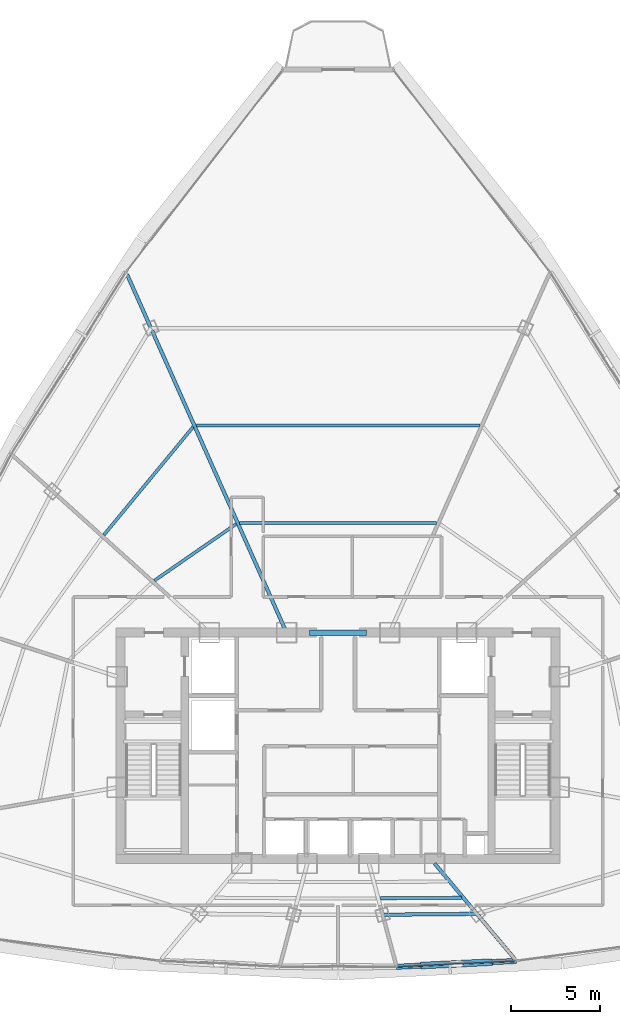
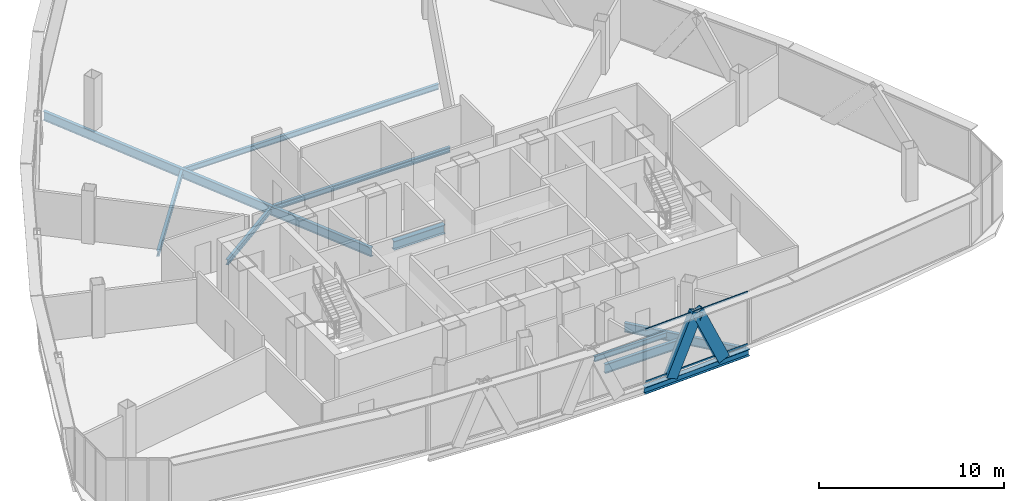
# One storey, part 10 of 26: 10 beams, 4 members, 1 element without a shape of its own.
"""IFC4 building model written with IfcOpenShell, lengths in metres."""

from ifc_helpers import new_model, si_unit, direction, frame, origin, origin_2d, place, context, subcontext, project, spatial, hollow_rectangle, i_section, extrude, source, transform, mapped, material, layer, layer_set, material_profile, profile_set, type_object, element, aggregate, save


model = new_model("IFC4")

# Units and contexts
model_context = context("Model", 3, precision=1e-05, world=origin(), true_north=direction((0.0, 1.0)))
body_context = subcontext(model_context, "Body", "Model", "MODEL_VIEW")
ifc_project = project(units=[si_unit("LENGTHUNIT", "METRE"), si_unit("AREAUNIT", "SQUARE_METRE"), si_unit("VOLUMEUNIT", "CUBIC_METRE"), si_unit("PLANEANGLEUNIT", "RADIAN"), si_unit("MASSUNIT", "GRAM", prefix="KILO"), si_unit("THERMODYNAMICTEMPERATUREUNIT", "KELVIN"), si_unit("POWERUNIT", "WATT")], contexts=[model_context])

# Site, building, storey
site_placement = place(None, origin())
site = spatial("IfcSite", under=ifc_project, at=site_placement, CompositionType="ELEMENT")
building_placement = place(site_placement, origin())
building = spatial("IfcBuilding", under=site, at=building_placement, Name="Yunzhuo Pagoda Commons", CompositionType="ELEMENT")
storey_placement = place(building_placement, frame((0.0, 0.0, 340.510009765625)))
storey = spatial("IfcBuildingStorey", under=building, at=storey_placement, Name="L85", CompositionType="ELEMENT", Elevation=340.510009765625)

# Beams
ifc_material_1 = material(Name="Structural steel Q420B", Category="steel")
ifc_material_profile_1 = material_profile(ifc_material_1, i_section(OverallWidth=0.300048828125, OverallDepth=0.587890625, WebThickness=0.011962890625, FlangeThickness=0.02001953125, at=origin_2d()), Name="Structural steel Q420B")
ifc_profile_set_1 = profile_set([ifc_material_profile_1], Name="Structural steel Q420B")
beam_type_1 = type_object("IfcBeamType", Name="B-CPL Beam HM 588x300x12x20", PredefinedType="BEAM", material=ifc_profile_set_1)
shared_shape_1 = source(origin(), body_context, "Body", "SweptSolid", [
    extrude(i_section(OverallWidth=0.300048828125, OverallDepth=0.587890625, WebThickness=0.011962890625, FlangeThickness=0.02001953125, at=origin_2d()), origin(), (0.0, 0.0, 1.0), 3.2001953125),
])
beam_1_placement = place(storey_placement, frame((46.39990234375, 40.199951171875, -0.553955078125), z_axis=(1.0, 0.0, 0.0), x_axis=(0.0, 1.0, 0.0)))
element("IfcBeam", 1, at=beam_1_placement, inside=storey, type_object=beam_type_1, Name="L85 core coupling girder", PredefinedType="BEAM", context=body_context, shape_type="MappedRepresentation", body=[
    mapped(shared_shape_1, transform((0.0, 0.0, 0.0), scale=1.0)),
])
ifc_material_2 = material(Name="Structural steel Q355B", Category="steel")
ifc_material_profile_2 = material_profile(ifc_material_2, i_section(OverallWidth=0.199951171875, OverallDepth=0.60009765625, WebThickness=0.010986328125, FlangeThickness=0.01708984375, at=origin_2d()), Name="Structural steel Q355B")
ifc_profile_set_2 = profile_set([ifc_material_profile_2], Name="Structural steel Q355B")
beam_type_2 = type_object("IfcBeamType", Name="B-RG3 Beam HN 600x200x11x17", PredefinedType="BEAM", material=ifc_profile_set_2)
shared_shape_2 = source(origin(), body_context, "Body", "SweptSolid", [
    extrude(i_section(OverallWidth=0.199951171875, OverallDepth=0.60009765625, WebThickness=0.010986328125, FlangeThickness=0.01708984375, at=origin_2d()), origin(), (0.0, 0.0, 1.0), 5.286376953125),
])
beam_2_placement = place(storey_placement, frame((50.499267578125, 24.372802734375, -0.56005859375), z_axis=(0.999957341442, 0.009236627946, 0.0), x_axis=(-0.009236627946, 0.999957341442, 0.0)))
element("IfcBeam", 2, at=beam_2_placement, inside=storey, type_object=beam_type_2, Name="L85 column-ring beam 3", PredefinedType="BEAM", context=body_context, shape_type="MappedRepresentation", body=[
    mapped(shared_shape_2, transform((0.0, 0.0, 0.0), scale=1.0)),
])
ifc_material_profile_3 = material_profile(ifc_material_2, i_section(OverallWidth=0.175048828125, OverallDepth=0.35009765625, WebThickness=0.007080078125, FlangeThickness=0.010986328125, at=origin_2d()), Name="Structural steel Q355B")
ifc_profile_set_3 = profile_set([ifc_material_profile_3], Name="Structural steel Q355B")
beam_type_3 = type_object("IfcBeamType", Name="B-JS2 Joist HN 350x175x7x11", PredefinedType="JOIST", material=ifc_profile_set_3)
shared_shape_3 = source(origin(), body_context, "Body", "SweptSolid", [
    extrude(i_section(OverallWidth=0.175048828125, OverallDepth=0.35009765625, WebThickness=0.007080078125, FlangeThickness=0.010986328125, at=origin_2d()), origin(), (0.0, 0.0, 1.0), 4.54345703125),
])
beam_3_placement = place(storey_placement, frame((50.367431640625, 25.29443359375, -0.43505859375), z_axis=(0.999975976237, 0.006931590593, 0.0), x_axis=(-0.006931590593, 0.999975976237, 0.0)))
element("IfcBeam", 3, at=beam_3_placement, inside=storey, type_object=beam_type_3, Name="L85 composite ring joist 2.3", PredefinedType="JOIST", context=body_context, shape_type="MappedRepresentation", body=[
    mapped(shared_shape_3, transform((0.0, 0.0, 0.0), scale=1.0)),
])
shared_shape_4 = source(origin(), body_context, "Body", "SweptSolid", [
    extrude(i_section(OverallWidth=0.175048828125, OverallDepth=0.35009765625, WebThickness=0.007080078125, FlangeThickness=0.010986328125, at=origin_2d()), origin(), (0.0, 0.0, 1.0), 5.556640625),
])
beam_4_placement = place(storey_placement, frame((42.273681640625, 46.28369140625, -0.43505859375), z_axis=(-0.822084621883, -0.569365326011, 0.0), x_axis=(0.569365326011, -0.822084621883, 0.0)))
element("IfcBeam", 4, at=beam_4_placement, inside=storey, type_object=beam_type_3, Name="L85 composite ring joist 1.9", PredefinedType="JOIST", context=body_context, shape_type="MappedRepresentation", body=[
    mapped(shared_shape_4, transform((0.0, 0.0, 0.0), scale=1.0)),
])
shared_shape_5 = source(origin(), body_context, "Body", "SweptSolid", [
    extrude(i_section(OverallWidth=0.175048828125, OverallDepth=0.35009765625, WebThickness=0.007080078125, FlangeThickness=0.010986328125, at=origin_2d()), origin(), (0.0, 0.0, 1.0), 7.842529296875),
])
beam_5_placement = place(storey_placement, frame((39.861328125, 51.726318359375, -0.43505859375), z_axis=(-0.636899145749, -0.770947130577, 0.0), x_axis=(0.770947130577, -0.636899145749, 0.0)))
element("IfcBeam", 5, at=beam_5_placement, inside=storey, type_object=beam_type_3, Name="L85 composite ring joist 2.9", PredefinedType="JOIST", context=body_context, shape_type="MappedRepresentation", body=[
    mapped(shared_shape_5, transform((0.0, 0.0, 0.0), scale=1.0)),
])
shared_shape_6 = source(origin(), body_context, "Body", "SweptSolid", [
    extrude(i_section(OverallWidth=0.175048828125, OverallDepth=0.35009765625, WebThickness=0.007080078125, FlangeThickness=0.010986328125, at=origin_2d()), origin(), (0.0, 0.0, 1.0), 11.03369140625),
])
beam_6_placement = place(storey_placement, frame((53.516845703125, 46.34912109375, -0.43505859375), z_axis=(-1.0, 0.0, 0.0), x_axis=(0.0, -1.0, 0.0)))
element("IfcBeam", 6, at=beam_6_placement, inside=storey, type_object=beam_type_3, Name="L85 composite ring joist 1.8", PredefinedType="JOIST", context=body_context, shape_type="MappedRepresentation", body=[
    mapped(shared_shape_6, transform((0.0, 0.0, 0.0), scale=1.0)),
])
shared_shape_7 = source(origin(), body_context, "Body", "SweptSolid", [
    extrude(i_section(OverallWidth=0.175048828125, OverallDepth=0.35009765625, WebThickness=0.007080078125, FlangeThickness=0.010986328125, at=origin_2d()), origin(), (0.0, 0.0, 1.0), 15.900390625),
])
beam_7_placement = place(storey_placement, frame((55.9501953125, 51.81494140625, -0.43505859375), z_axis=(-1.0, 0.0, 0.0), x_axis=(0.0, -1.0, 0.0)))
element("IfcBeam", 7, at=beam_7_placement, inside=storey, type_object=beam_type_3, Name="L85 composite ring joist 2.8", PredefinedType="JOIST", context=body_context, shape_type="MappedRepresentation", body=[
    mapped(shared_shape_7, transform((0.0, 0.0, 0.0), scale=1.0)),
])
shared_shape_8 = source(origin(), body_context, "Body", "SweptSolid", [
    extrude(i_section(OverallWidth=0.199951171875, OverallDepth=0.60009765625, WebThickness=0.010986328125, FlangeThickness=0.01708984375, at=origin_2d()), origin(), (0.0, 0.0, 1.0), 6.983642578125),
])
beam_8_placement = place(storey_placement, frame((57.901123046875, 21.900390625, -0.56005859375), z_axis=(-0.642800921459, 0.766033273019, 0.0), x_axis=(-0.766033273019, -0.642800921459, 0.0)))
element("IfcBeam", 8, at=beam_8_placement, inside=storey, type_object=beam_type_2, Name="L85 radial floor girder F1C4", PredefinedType="BEAM", context=body_context, shape_type="MappedRepresentation", body=[
    mapped(shared_shape_8, transform((0.0, 0.0, 0.0), scale=1.0)),
])
shared_shape_9 = source(origin(), body_context, "Body", "SweptSolid", [
    extrude(i_section(OverallWidth=0.199951171875, OverallDepth=0.60009765625, WebThickness=0.010986328125, FlangeThickness=0.01708984375, at=origin_2d()), origin(), (0.0, 0.0, 1.0), 21.975341796875),
])
beam_9_placement = place(storey_placement, frame((36.167724609375, 60.275390625, -0.56005859375), z_axis=(0.406739335942, -0.913544258697, 0.0), x_axis=(0.913544258697, 0.406739335942, 0.0)))
element("IfcBeam", 9, at=beam_9_placement, inside=storey, type_object=beam_type_2, Name="L85 radial floor girder F3C1", PredefinedType="BEAM", context=body_context, shape_type="MappedRepresentation", body=[
    mapped(shared_shape_9, transform((0.0, 0.0, 0.0), scale=1.0)),
])
ifc_material_profile_4 = material_profile(ifc_material_2, i_section(OverallWidth=0.300048828125, OverallDepth=0.43994140625, WebThickness=0.010986328125, FlangeThickness=0.01806640625, at=origin_2d()), Name="Structural steel Q355B")
ifc_profile_set_4 = profile_set([ifc_material_profile_4], Name="Structural steel Q355B")
beam_type_4 = type_object("IfcBeamType", Name="B-SP2 Beam HM 440x300x11x18", PredefinedType="BEAM", material=ifc_profile_set_4)
shared_shape_10 = source(origin(), body_context, "Body", "SweptSolid", [
    extrude(i_section(OverallWidth=0.300048828125, OverallDepth=0.43994140625, WebThickness=0.010986328125, FlangeThickness=0.01806640625, at=origin_2d()), origin(), (0.0, 0.0, 1.0), 6.727294921875),
])
beam_10_placement = place(storey_placement, frame((51.28173828125, 21.452392578125, -0.47998046875), z_axis=(0.998802682638, 0.048920355214, 0.0), x_axis=(-0.048920355214, 0.998802682638, 0.0)))
element("IfcBeam", 10, at=beam_10_placement, inside=storey, type_object=beam_type_4, Name="L85 facade edge spandrel beam F1.3", PredefinedType="BEAM", context=body_context, shape_type="MappedRepresentation", body=[
    mapped(shared_shape_10, transform((0.0, 0.0, 0.0), scale=1.0)),
])

# Members
ifc_material_profile_5 = material_profile(ifc_material_2, hollow_rectangle(XDim=0.3798828125, YDim=0.719970703125, WallThickness=0.02001953125, at=origin_2d()), Name="Structural steel Q355B")
ifc_profile_set_5 = profile_set([ifc_material_profile_5], Name="Structural steel Q355B")
member_type_1 = type_object("IfcMemberType", Name="M-DL3 Brace BOX 720x380x20", PredefinedType="BRACE", material=ifc_profile_set_5)
shared_shape_11 = source(origin(), body_context, "Body", "SweptSolid", [
    extrude(hollow_rectangle(XDim=0.3798828125, YDim=0.719970703125, WallThickness=0.02001953125, at=origin_2d()), origin(), (0.0, 0.0, 1.0), 4.10986328125),
])
for number, where, z_axis, x_axis, name in (
    (11, (52.96142578125, 21.53466796875, -0.260009765625), (0.408750482324, 0.020018734565, 0.912426596207), (-0.048916808978, 0.998802856323, 0.0), "L85 facade diamond brace F1.3L"),
    (12, (56.321044921875, 21.69921875, -0.260009765625), (-0.408701002584, -0.020019220621, 0.912448749954), (0.048923901963, -0.998802508916, 0.0), "L85 facade diamond brace F1.3R"),
):
    element("IfcMember", number, at=place(storey_placement, frame(where, z_axis=z_axis, x_axis=x_axis)), inside=storey, type_object=member_type_1, Name=name, PredefinedType="BRACE", context=body_context, shape_type="MappedRepresentation", body=[
        mapped(shared_shape_11, transform((0.0, 0.0, 0.0), scale=1.0)),
    ])

# Curtain wall, members
ifc_material_3 = material(Name="Anodized aluminium 6063-T6", Category="aluminium")
ifc_layer = layer(ifc_material_3, 0.139892578125)
ifc_layer_set = layer_set([ifc_layer], Name="Anodized aluminium 6063-T6")
curtain_wall_type = type_object("IfcCurtainWallType", Name="CW-HI High-Zone Ribbon Curtain Wall", PredefinedType="NOTDEFINED", material=ifc_layer_set)
curtain_wall_placement = place(storey_placement, origin())
curtain_wall = element("IfcCurtainWall", 13, at=curtain_wall_placement, inside=storey, type_object=curtain_wall_type, Name="L85 curtain wall CW-L85-F1B4", PredefinedType="NOTDEFINED")
ifc_material_profile_6 = material_profile(ifc_material_3, hollow_rectangle(XDim=0.054931640625, YDim=0.1201171875, WallThickness=0.00341796875, at=origin_2d()), Name="Anodized aluminium 6063-T6")
ifc_profile_set_6 = profile_set([ifc_material_profile_6], Name="Anodized aluminium 6063-T6")
member_type_2 = type_object("IfcMemberType", Name="CW-HI-T Transom RHS 120x55x3.5", PredefinedType="USERDEFINED", material=ifc_profile_set_6)
shared_shape_12 = source(origin(), body_context, "Body", "SweptSolid", [
    extrude(hollow_rectangle(XDim=0.054931640625, YDim=0.1201171875, WallThickness=0.00341796875, at=origin_2d()), origin(), (0.0, 0.0, 1.0), 6.607177734375),
])
member_1_placement = place(storey_placement, frame((51.341552734375, 21.455322265625, 0.027587890625), z_axis=(0.998800788533, 0.048959011683, 0.0), x_axis=(-0.048959011683, 0.998800788533, 0.0)))
member_1 = element("IfcMember", 14, at=member_1_placement, type_object=member_type_2, Name="CW transom 1.1", ObjectType="TRANSOM", PredefinedType="USERDEFINED", context=body_context, shape_type="MappedRepresentation", body=[
    mapped(shared_shape_12, transform((0.0, 0.0, 0.0), scale=1.0)),
])
member_2_placement = place(storey_placement, frame((51.341552734375, 21.455322265625, 3.46240234375), z_axis=(0.998800788533, 0.048959011683, 0.0), x_axis=(-0.048959011683, 0.998800788533, 0.0)))
member_2 = element("IfcMember", 15, at=member_2_placement, type_object=member_type_2, Name="CW transom 1.2", ObjectType="TRANSOM", PredefinedType="USERDEFINED", context=body_context, shape_type="MappedRepresentation", body=[
    mapped(shared_shape_12, transform((0.0, 0.0, 0.0), scale=1.0)),
])
aggregate(curtain_wall, [member_1, member_2])

save(model, "model.ifc")
